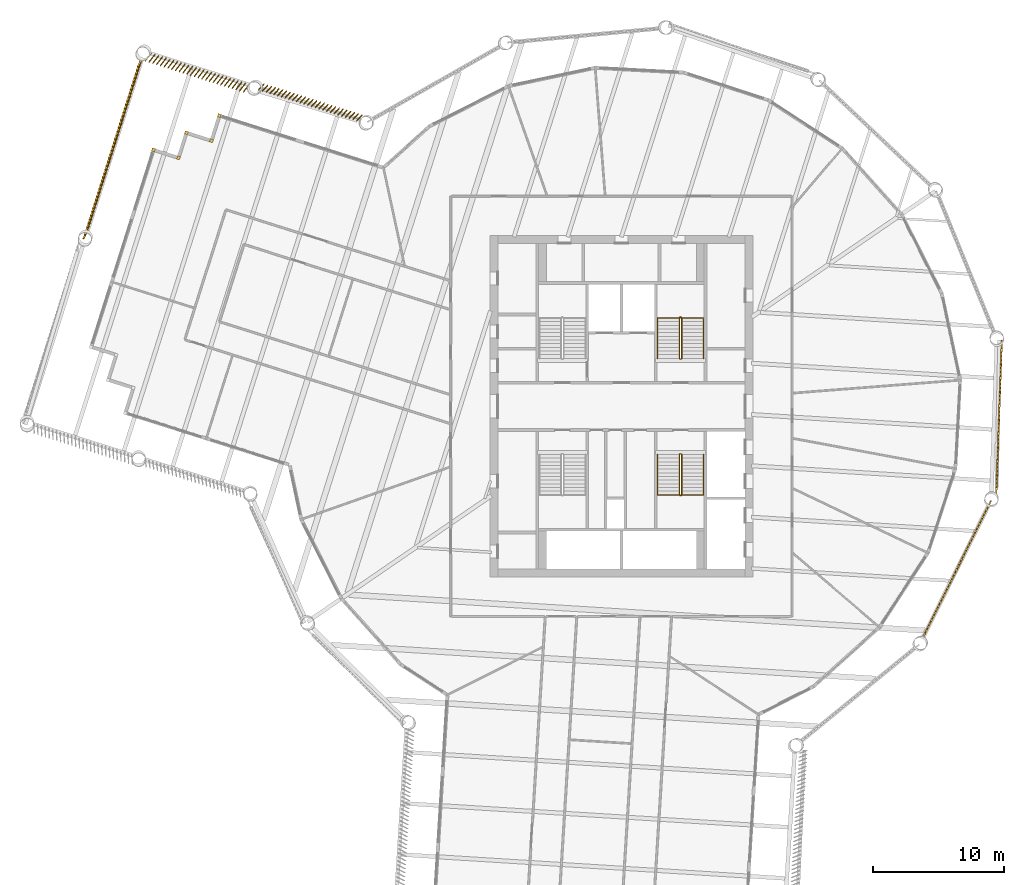
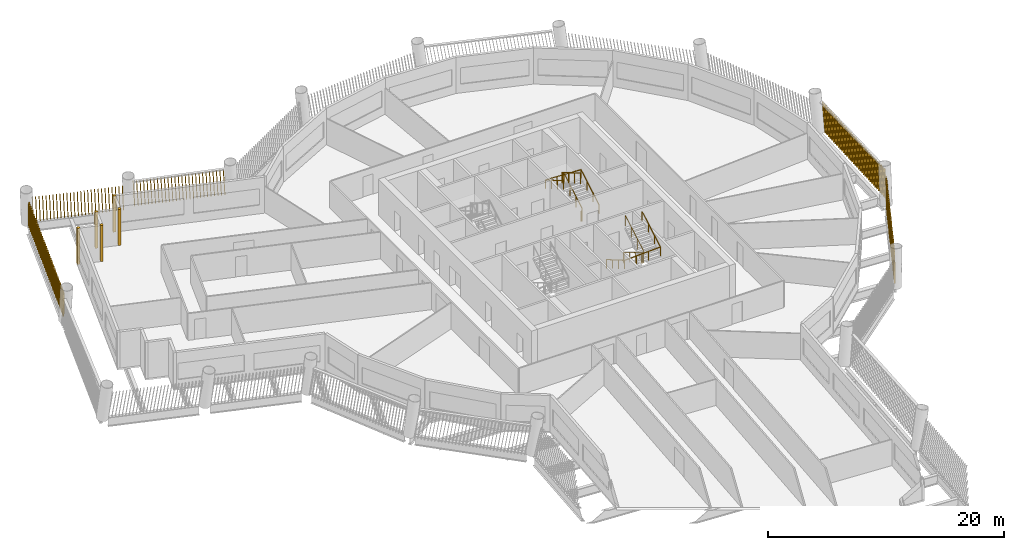
# One storey, part 13 of 15: 10 shading devices, 4 railings.
"""IFC4 building model written with IfcOpenShell, lengths in metres."""

from ifc_helpers import new_model, si_unit, direction, frame, frame_2d, origin, origin_2d, place, context, subcontext, project, spatial, rectangle, circle, composite_profile, extrude, material, type_object, element, save


model = new_model("IFC4")

# Units and contexts
model_context = context("Model", 3, precision=1e-05, world=origin(), true_north=direction((0.0, 1.0)))
body_context = subcontext(model_context, "Body", "Model", "MODEL_VIEW")
ifc_project = project(units=[si_unit("LENGTHUNIT", "METRE"), si_unit("AREAUNIT", "SQUARE_METRE"), si_unit("VOLUMEUNIT", "CUBIC_METRE"), si_unit("PLANEANGLEUNIT", "RADIAN"), si_unit("MASSUNIT", "GRAM", prefix="KILO")], contexts=[model_context])

# Site, building, storey
site_placement = place(None, origin())
site = spatial("IfcSite", under=ifc_project, at=site_placement, CompositionType="ELEMENT")
building_placement = place(site_placement, origin())
building = spatial("IfcBuilding", under=site, at=building_placement, Name="Tarsis Ring Headquarters", CompositionType="ELEMENT")
storey_placement = place(building_placement, frame((0.0, 0.0, 212.10009765625)))
storey = spatial("IfcBuildingStorey", under=building, at=storey_placement, Name="L49", CompositionType="ELEMENT", Elevation=212.10009765625)

# Railings
ifc_material_1 = material(Name="Steel S355", Category="steel")
railing_type_1 = type_object("IfcRailingType", Name="Core stair guard 1100", PredefinedType="GUARDRAIL", material=ifc_material_1)
railing_1_placement = place(storey_placement, frame((4.4599609375, 3.610107421875, 0.0)))
element("IfcRailing", 1, at=railing_1_placement, inside=storey, type_object=railing_type_1, Name="L49 ST2 stair guard 1", PredefinedType="GUARDRAIL", context=body_context, shape_type="SweptSolid", body=[
    extrude(circle(Radius=0.02392578125, at=origin_2d()), frame((0.0, 0.0, 1.076171875), z_axis=(1.0, 0.0, 0.0), x_axis=(0.0, 1.0, 0.0)), (0.0, 0.0, 1.0), 0.080078125),
    extrude(circle(Radius=0.02392578125, at=origin_2d()), frame((0.080078125, 0.0, 1.076171875), z_axis=(0.282693820306, 0.281314826061, 0.917031173188), x_axis=(-0.705375805398, 0.708833529934, 0.0)), (0.0, 0.0, 1.0), 0.177001953125),
    extrude(circle(Radius=0.02392578125, at=origin_2d()), frame((0.130126953125, 0.0498046875, 1.23828125), z_axis=(0.0, 0.864890721111, 0.501960198159), x_axis=(-1.0, 0.0, 0.0)), (0.0, 0.0, 1.0), 3.561279296875),
    extrude(circle(Radius=0.02392578125, at=origin_2d()), frame((0.130126953125, 3.1298828125, 3.02587890625), z_axis=(-0.707106781187, 0.707106781187, 0.0), x_axis=(-0.707106781187, -0.707106781187, 0.0)), (0.0, 0.0, 1.0), 0.07080078125),
    extrude(circle(Radius=0.02392578125, at=origin_2d()), frame((0.080078125, 3.179931640625, 3.02587890625), z_axis=(-1.0, 0.0, 0.0), x_axis=(0.0, -1.0, 0.0)), (0.0, 0.0, 1.0), 0.080078125),
    extrude(circle(Radius=0.02392578125, at=origin_2d()), frame((0.0, 3.179931640625, 3.02587890625), z_axis=(-0.282583949758, -0.282583949758, 0.916674763849), x_axis=(0.707106781187, -0.707106781187, 0.0)), (0.0, 0.0, 1.0), 0.177001953125),
    extrude(circle(Radius=0.02392578125, at=origin_2d()), frame((-0.050048828125, 3.1298828125, 3.1884765625), z_axis=(0.0, -0.864890721111, 0.501960198159), x_axis=(1.0, 0.0, 0.0)), (0.0, 0.0, 1.0), 3.561279296875),
    extrude(circle(Radius=0.02099609375, at=origin_2d()), origin(), (0.0, 0.0, 1.0), 1.052001953125),
    extrude(circle(Radius=0.02099609375, at=origin_2d()), frame((0.080078125, 0.0, 0.0)), (0.0, 0.0, 1.0), 1.052001953125),
    extrude(circle(Radius=0.02099609375, at=origin_2d()), frame((0.130126953125, 0.0498046875, 0.162353515625)), (0.0, 0.0, 1.0), 1.052001953125),
    extrude(circle(Radius=0.02099609375, at=origin_2d()), frame((0.130126953125, 1.076416015625, 0.75830078125)), (0.0, 0.0, 1.0), 1.052001953125),
    extrude(circle(Radius=0.02099609375, at=origin_2d()), frame((0.130126953125, 2.103271484375, 1.35400390625)), (0.0, 0.0, 1.0), 1.052001953125),
    extrude(circle(Radius=0.02099609375, at=origin_2d()), frame((0.130126953125, 3.1298828125, 1.949951171875)), (0.0, 0.0, 1.0), 1.052001953125),
    extrude(circle(Radius=0.02099609375, at=origin_2d()), frame((0.080078125, 3.179931640625, 1.949951171875)), (0.0, 0.0, 1.0), 1.052001953125),
    extrude(circle(Radius=0.02099609375, at=origin_2d()), frame((0.0, 3.179931640625, 1.949951171875)), (0.0, 0.0, 1.0), 1.052001953125),
    extrude(circle(Radius=0.02099609375, at=origin_2d()), frame((-0.050048828125, 3.1298828125, 2.1123046875)), (0.0, 0.0, 1.0), 1.052001953125),
    extrude(circle(Radius=0.02099609375, at=origin_2d()), frame((-0.050048828125, 2.103271484375, 2.708251953125)), (0.0, 0.0, 1.0), 1.052001953125),
    extrude(circle(Radius=0.02099609375, at=origin_2d()), frame((-0.050048828125, 1.076416015625, 3.303955078125)), (0.0, 0.0, 1.0), 1.052001953125),
    extrude(circle(Radius=0.02099609375, at=origin_2d()), frame((-0.050048828125, 0.0498046875, 3.89990234375)), (0.0, 0.0, 1.0), 1.052001953125),
])
railing_2_placement = place(storey_placement, frame((4.5400390625, -3.610107421875, 0.0)))
element("IfcRailing", 2, at=railing_2_placement, inside=storey, type_object=railing_type_1, Name="L49 ST4 stair guard 1", PredefinedType="GUARDRAIL", context=body_context, shape_type="SweptSolid", body=[
    extrude(circle(Radius=0.02392578125, at=origin_2d()), frame((0.0, 0.0, 1.076171875), z_axis=(-1.0, 0.0, 0.0), x_axis=(0.0, -1.0, 0.0)), (0.0, 0.0, 1.0), 0.080078125),
    extrude(circle(Radius=0.02392578125, at=origin_2d()), frame((-0.080078125, 0.0, 1.076171875), z_axis=(-0.282693820306, -0.281314826061, 0.917031173188), x_axis=(0.705375805398, -0.708833529934, 0.0)), (0.0, 0.0, 1.0), 0.177001953125),
    extrude(circle(Radius=0.02392578125, at=origin_2d()), frame((-0.130126953125, -0.0498046875, 1.23828125), z_axis=(0.0, -0.864890721111, 0.501960198159), x_axis=(1.0, 0.0, 0.0)), (0.0, 0.0, 1.0), 3.561279296875),
    extrude(circle(Radius=0.02392578125, at=origin_2d()), frame((-0.130126953125, -3.1298828125, 3.02587890625), z_axis=(0.707106781187, -0.707106781187, 0.0), x_axis=(0.707106781187, 0.707106781187, 0.0)), (0.0, 0.0, 1.0), 0.07080078125),
    extrude(circle(Radius=0.02392578125, at=origin_2d()), frame((-0.080078125, -3.179931640625, 3.02587890625), z_axis=(1.0, 0.0, 0.0), x_axis=(0.0, 1.0, 0.0)), (0.0, 0.0, 1.0), 0.080078125),
    extrude(circle(Radius=0.02392578125, at=origin_2d()), frame((0.0, -3.179931640625, 3.02587890625), z_axis=(0.282583949758, 0.282583949758, 0.916674763849), x_axis=(-0.707106781187, 0.707106781187, 0.0)), (0.0, 0.0, 1.0), 0.177001953125),
    extrude(circle(Radius=0.02392578125, at=origin_2d()), frame((0.050048828125, -3.1298828125, 3.1884765625), z_axis=(0.0, 0.864890721111, 0.501960198159), x_axis=(-1.0, 0.0, 0.0)), (0.0, 0.0, 1.0), 3.561279296875),
    extrude(circle(Radius=0.02099609375, at=origin_2d()), origin(), (0.0, 0.0, 1.0), 1.052001953125),
    extrude(circle(Radius=0.02099609375, at=origin_2d()), frame((-0.080078125, 0.0, 0.0)), (0.0, 0.0, 1.0), 1.052001953125),
    extrude(circle(Radius=0.02099609375, at=origin_2d()), frame((-0.130126953125, -0.0498046875, 0.162353515625)), (0.0, 0.0, 1.0), 1.052001953125),
    extrude(circle(Radius=0.02099609375, at=origin_2d()), frame((-0.130126953125, -1.076416015625, 0.75830078125)), (0.0, 0.0, 1.0), 1.052001953125),
    extrude(circle(Radius=0.02099609375, at=origin_2d()), frame((-0.130126953125, -2.103271484375, 1.35400390625)), (0.0, 0.0, 1.0), 1.052001953125),
    extrude(circle(Radius=0.02099609375, at=origin_2d()), frame((-0.130126953125, -3.1298828125, 1.949951171875)), (0.0, 0.0, 1.0), 1.052001953125),
    extrude(circle(Radius=0.02099609375, at=origin_2d()), frame((-0.080078125, -3.179931640625, 1.949951171875)), (0.0, 0.0, 1.0), 1.052001953125),
    extrude(circle(Radius=0.02099609375, at=origin_2d()), frame((0.0, -3.179931640625, 1.949951171875)), (0.0, 0.0, 1.0), 1.052001953125),
    extrude(circle(Radius=0.02099609375, at=origin_2d()), frame((0.050048828125, -3.1298828125, 2.1123046875)), (0.0, 0.0, 1.0), 1.052001953125),
    extrude(circle(Radius=0.02099609375, at=origin_2d()), frame((0.050048828125, -2.103271484375, 2.708251953125)), (0.0, 0.0, 1.0), 1.052001953125),
    extrude(circle(Radius=0.02099609375, at=origin_2d()), frame((0.050048828125, -1.076416015625, 3.303955078125)), (0.0, 0.0, 1.0), 1.052001953125),
    extrude(circle(Radius=0.02099609375, at=origin_2d()), frame((0.050048828125, -0.0498046875, 3.89990234375)), (0.0, 0.0, 1.0), 1.052001953125),
])
railing_type_2 = type_object("IfcRailingType", Name="Core stair handrail 900", PredefinedType="HANDRAIL", material=ifc_material_1)
railing_3_placement = place(storey_placement, frame((6.25, 3.659912109375, 0.162353515625)))
element("IfcRailing", 3, at=railing_3_placement, inside=storey, type_object=railing_type_2, Name="L49 ST2 stair handrail 1", PredefinedType="HANDRAIL", context=body_context, shape_type="SweptSolid", body=[
    extrude(circle(Radius=0.02392578125, at=origin_2d()), frame((0.0, 0.0, 0.8759765625), z_axis=(0.0, 0.864890721111, 0.501960198159), x_axis=(-1.0, 0.0, 0.0)), (0.0, 0.0, 1.0), 3.561279296875),
    extrude(circle(Radius=0.02392578125, at=origin_2d()), frame((0.0, 3.080078125, 2.66357421875), z_axis=(-0.998925869279, 0.0, 0.04633689335), x_axis=(0.0, -1.0, 0.0)), (0.0, 0.0, 1.0), 3.503662109375),
    extrude(circle(Radius=0.02392578125, at=origin_2d()), frame((-3.5, 3.080078125, 2.82568359375), z_axis=(0.0, -0.864890721111, 0.501960198159), x_axis=(1.0, 0.0, 0.0)), (0.0, 0.0, 1.0), 3.561279296875),
    extrude(circle(Radius=0.02099609375, at=origin_2d()), origin(), (0.0, 0.0, 1.0), 0.851806640625),
    extrude(circle(Radius=0.02099609375, at=origin_2d()), frame((0.0, 1.026611328125, 0.595947265625)), (0.0, 0.0, 1.0), 0.851806640625),
    extrude(circle(Radius=0.02099609375, at=origin_2d()), frame((0.0, 2.053466796875, 1.191650390625)), (0.0, 0.0, 1.0), 0.851806640625),
    extrude(circle(Radius=0.02099609375, at=origin_2d()), frame((0.0, 3.080078125, 1.78759765625)), (0.0, 0.0, 1.0), 0.851806640625),
    extrude(circle(Radius=0.02099609375, at=origin_2d()), frame((-1.166748046875, 3.080078125, 1.841796875)), (0.0, 0.0, 1.0), 0.851806640625),
    extrude(circle(Radius=0.02099609375, at=origin_2d()), frame((-2.333251953125, 3.080078125, 1.895751953125)), (0.0, 0.0, 1.0), 0.851806640625),
    extrude(circle(Radius=0.02099609375, at=origin_2d()), frame((-3.5, 3.080078125, 1.949951171875)), (0.0, 0.0, 1.0), 0.851806640625),
    extrude(circle(Radius=0.02099609375, at=origin_2d()), frame((-3.5, 2.053466796875, 2.5458984375)), (0.0, 0.0, 1.0), 0.851806640625),
    extrude(circle(Radius=0.02099609375, at=origin_2d()), frame((-3.5, 1.026611328125, 3.1416015625)), (0.0, 0.0, 1.0), 0.851806640625),
    extrude(circle(Radius=0.02099609375, at=origin_2d()), frame((-3.5, 0.0, 3.737548828125)), (0.0, 0.0, 1.0), 0.851806640625),
])
railing_4_placement = place(storey_placement, frame((2.75, -3.659912109375, 0.162353515625)))
element("IfcRailing", 4, at=railing_4_placement, inside=storey, type_object=railing_type_2, Name="L49 ST4 stair handrail 1", PredefinedType="HANDRAIL", context=body_context, shape_type="SweptSolid", body=[
    extrude(circle(Radius=0.02392578125, at=origin_2d()), frame((0.0, 0.0, 0.8759765625), z_axis=(0.0, -0.864890721111, 0.501960198159), x_axis=(1.0, 0.0, 0.0)), (0.0, 0.0, 1.0), 3.561279296875),
    extrude(circle(Radius=0.02392578125, at=origin_2d()), frame((0.0, -3.080078125, 2.66357421875), z_axis=(0.998925869279, 0.0, 0.04633689335), x_axis=(0.0, 1.0, 0.0)), (0.0, 0.0, 1.0), 3.503662109375),
    extrude(circle(Radius=0.02392578125, at=origin_2d()), frame((3.5, -3.080078125, 2.82568359375), z_axis=(0.0, 0.864890721111, 0.501960198159), x_axis=(-1.0, 0.0, 0.0)), (0.0, 0.0, 1.0), 3.561279296875),
    extrude(circle(Radius=0.02099609375, at=origin_2d()), origin(), (0.0, 0.0, 1.0), 0.851806640625),
    extrude(circle(Radius=0.02099609375, at=origin_2d()), frame((0.0, -1.026611328125, 0.595947265625)), (0.0, 0.0, 1.0), 0.851806640625),
    extrude(circle(Radius=0.02099609375, at=origin_2d()), frame((0.0, -2.053466796875, 1.191650390625)), (0.0, 0.0, 1.0), 0.851806640625),
    extrude(circle(Radius=0.02099609375, at=origin_2d()), frame((0.0, -3.080078125, 1.78759765625)), (0.0, 0.0, 1.0), 0.851806640625),
    extrude(circle(Radius=0.02099609375, at=origin_2d()), frame((1.166748046875, -3.080078125, 1.841796875)), (0.0, 0.0, 1.0), 0.851806640625),
    extrude(circle(Radius=0.02099609375, at=origin_2d()), frame((2.333251953125, -3.080078125, 1.895751953125)), (0.0, 0.0, 1.0), 0.851806640625),
    extrude(circle(Radius=0.02099609375, at=origin_2d()), frame((3.5, -3.080078125, 1.949951171875)), (0.0, 0.0, 1.0), 0.851806640625),
    extrude(circle(Radius=0.02099609375, at=origin_2d()), frame((3.5, -2.053466796875, 2.5458984375)), (0.0, 0.0, 1.0), 0.851806640625),
    extrude(circle(Radius=0.02099609375, at=origin_2d()), frame((3.5, -1.026611328125, 3.1416015625)), (0.0, 0.0, 1.0), 0.851806640625),
    extrude(circle(Radius=0.02099609375, at=origin_2d()), frame((3.5, 0.0, 3.737548828125)), (0.0, 0.0, 1.0), 0.851806640625),
])

# Shading devices
ifc_material_2 = material(Name="Terracotta baguette", Category="masonry")
shading_device_type_1 = type_object("IfcShadingDeviceType", Name="Terracotta baguette screen", PredefinedType="USERDEFINED", material=ifc_material_2)
shading_device_1_placement = place(storey_placement, frame((22.928466796875, -17.669921875, 0.0), z_axis=(0.0, 0.0, 1.0), x_axis=(0.444883342377, 0.895583288117, 0.0)))
element("IfcShadingDevice", 5, at=shading_device_1_placement, inside=storey, type_object=shading_device_type_1, Name="Baguette screen L49-08", ObjectType="Terracotta baguette screen", PredefinedType="USERDEFINED", context=body_context, shape_type="SweptSolid", body=[
    extrude(composite_profile([rectangle(XDim=0.06005859375, YDim=0.1201171875, at=frame_2d((0.030029296875, 0.0))), rectangle(XDim=0.06005859375, YDim=0.1201171875, at=frame_2d((0.33251953125, 0.0))), rectangle(XDim=0.06005859375, YDim=0.1201171875, at=frame_2d((0.634765625, 0.0))), rectangle(XDim=0.06005859375, YDim=0.1201171875, at=frame_2d((0.937255859375, 0.0))), rectangle(XDim=0.06005859375, YDim=0.1201171875, at=frame_2d((1.239501953125, 0.0))), rectangle(XDim=0.06005859375, YDim=0.1201171875, at=frame_2d((1.5419921875, 0.0))), rectangle(XDim=0.06005859375, YDim=0.1201171875, at=frame_2d((1.844482421875, 0.0))), rectangle(XDim=0.06005859375, YDim=0.1201171875, at=frame_2d((2.146728515625, 0.0))), rectangle(XDim=0.06005859375, YDim=0.1201171875, at=frame_2d((2.44921875, 0.0))), rectangle(XDim=0.06005859375, YDim=0.1201171875, at=frame_2d((2.751708984375, 0.0))), rectangle(XDim=0.06005859375, YDim=0.1201171875, at=frame_2d((3.053955078125, 0.0))), rectangle(XDim=0.06005859375, YDim=0.1201171875, at=frame_2d((3.3564453125, 0.0))), rectangle(XDim=0.06005859375, YDim=0.1201171875, at=frame_2d((3.65869140625, 0.0))), rectangle(XDim=0.06005859375, YDim=0.1201171875, at=frame_2d((3.961181640625, 0.0))), rectangle(XDim=0.06005859375, YDim=0.1201171875, at=frame_2d((4.263671875, 0.0))), rectangle(XDim=0.06005859375, YDim=0.1201171875, at=frame_2d((4.56591796875, 0.0))), rectangle(XDim=0.06005859375, YDim=0.1201171875, at=frame_2d((4.868408203125, 0.0))), rectangle(XDim=0.06005859375, YDim=0.1201171875, at=frame_2d((5.1708984375, 0.0))), rectangle(XDim=0.06005859375, YDim=0.1201171875, at=frame_2d((5.47314453125, 0.0))), rectangle(XDim=0.06005859375, YDim=0.1201171875, at=frame_2d((5.775634765625, 0.0))), rectangle(XDim=0.06005859375, YDim=0.1201171875, at=frame_2d((6.077880859375, 0.0))), rectangle(XDim=0.06005859375, YDim=0.1201171875, at=frame_2d((6.38037109375, 0.0))), rectangle(XDim=0.06005859375, YDim=0.1201171875, at=frame_2d((6.682861328125, 0.0))), rectangle(XDim=0.06005859375, YDim=0.1201171875, at=frame_2d((6.985107421875, 0.0))), rectangle(XDim=0.06005859375, YDim=0.1201171875, at=frame_2d((7.28759765625, 0.0))), rectangle(XDim=0.06005859375, YDim=0.1201171875, at=frame_2d((7.590087890625, 0.0))), rectangle(XDim=0.06005859375, YDim=0.1201171875, at=frame_2d((7.892333984375, 0.0))), rectangle(XDim=0.06005859375, YDim=0.1201171875, at=frame_2d((8.19482421875, 0.0))), rectangle(XDim=0.06005859375, YDim=0.1201171875, at=frame_2d((8.4970703125, 0.0))), rectangle(XDim=0.06005859375, YDim=0.1201171875, at=frame_2d((8.799560546875, 0.0))), rectangle(XDim=0.06005859375, YDim=0.1201171875, at=frame_2d((9.10205078125, 0.0))), rectangle(XDim=0.06005859375, YDim=0.1201171875, at=frame_2d((9.404296875, 0.0))), rectangle(XDim=0.06005859375, YDim=0.1201171875, at=frame_2d((9.706787109375, 0.0))), rectangle(XDim=0.06005859375, YDim=0.1201171875, at=frame_2d((10.00927734375, 0.0))), rectangle(XDim=0.06005859375, YDim=0.1201171875, at=frame_2d((10.3115234375, 0.0))), rectangle(XDim=0.06005859375, YDim=0.1201171875, at=frame_2d((10.614013671875, 0.0))), rectangle(XDim=0.06005859375, YDim=0.1201171875, at=frame_2d((10.916259765625, 0.0))), rectangle(XDim=0.06005859375, YDim=0.1201171875, at=frame_2d((11.21875, 0.0)))]), origin(), (0.159215787008, 0.001333037125, 0.987242906371), 2.988037109375),
])
shading_device_2_placement = place(storey_placement, frame((28.548095703125, -6.661865234375, 0.0), z_axis=(0.0, 0.0, 1.0), x_axis=(0.036201844818, 0.999348887683, 0.0)))
element("IfcShadingDevice", 6, at=shading_device_2_placement, inside=storey, type_object=shading_device_type_1, Name="Baguette screen L49-09", ObjectType="Terracotta baguette screen", PredefinedType="USERDEFINED", context=body_context, shape_type="SweptSolid", body=[
    extrude(composite_profile([rectangle(XDim=0.06005859375, YDim=0.1201171875, at=frame_2d((0.030029296875, 0.0))), rectangle(XDim=0.06005859375, YDim=0.1201171875, at=frame_2d((0.33251953125, 0.0))), rectangle(XDim=0.06005859375, YDim=0.1201171875, at=frame_2d((0.634765625, 0.0))), rectangle(XDim=0.06005859375, YDim=0.1201171875, at=frame_2d((0.937255859375, 0.0))), rectangle(XDim=0.06005859375, YDim=0.1201171875, at=frame_2d((1.239501953125, 0.0))), rectangle(XDim=0.06005859375, YDim=0.1201171875, at=frame_2d((1.5419921875, 0.0))), rectangle(XDim=0.06005859375, YDim=0.1201171875, at=frame_2d((1.844482421875, 0.0))), rectangle(XDim=0.06005859375, YDim=0.1201171875, at=frame_2d((2.146728515625, 0.0))), rectangle(XDim=0.06005859375, YDim=0.1201171875, at=frame_2d((2.44921875, 0.0))), rectangle(XDim=0.06005859375, YDim=0.1201171875, at=frame_2d((2.751708984375, 0.0))), rectangle(XDim=0.06005859375, YDim=0.1201171875, at=frame_2d((3.053955078125, 0.0))), rectangle(XDim=0.06005859375, YDim=0.1201171875, at=frame_2d((3.3564453125, 0.0))), rectangle(XDim=0.06005859375, YDim=0.1201171875, at=frame_2d((3.65869140625, 0.0))), rectangle(XDim=0.06005859375, YDim=0.1201171875, at=frame_2d((3.961181640625, 0.0))), rectangle(XDim=0.06005859375, YDim=0.1201171875, at=frame_2d((4.263671875, 0.0))), rectangle(XDim=0.06005859375, YDim=0.1201171875, at=frame_2d((4.56591796875, 0.0))), rectangle(XDim=0.06005859375, YDim=0.1201171875, at=frame_2d((4.868408203125, 0.0))), rectangle(XDim=0.06005859375, YDim=0.1201171875, at=frame_2d((5.1708984375, 0.0))), rectangle(XDim=0.06005859375, YDim=0.1201171875, at=frame_2d((5.47314453125, 0.0))), rectangle(XDim=0.06005859375, YDim=0.1201171875, at=frame_2d((5.775634765625, 0.0))), rectangle(XDim=0.06005859375, YDim=0.1201171875, at=frame_2d((6.077880859375, 0.0))), rectangle(XDim=0.06005859375, YDim=0.1201171875, at=frame_2d((6.38037109375, 0.0))), rectangle(XDim=0.06005859375, YDim=0.1201171875, at=frame_2d((6.682861328125, 0.0))), rectangle(XDim=0.06005859375, YDim=0.1201171875, at=frame_2d((6.985107421875, 0.0))), rectangle(XDim=0.06005859375, YDim=0.1201171875, at=frame_2d((7.28759765625, 0.0))), rectangle(XDim=0.06005859375, YDim=0.1201171875, at=frame_2d((7.590087890625, 0.0))), rectangle(XDim=0.06005859375, YDim=0.1201171875, at=frame_2d((7.892333984375, 0.0))), rectangle(XDim=0.06005859375, YDim=0.1201171875, at=frame_2d((8.19482421875, 0.0))), rectangle(XDim=0.06005859375, YDim=0.1201171875, at=frame_2d((8.4970703125, 0.0))), rectangle(XDim=0.06005859375, YDim=0.1201171875, at=frame_2d((8.799560546875, 0.0))), rectangle(XDim=0.06005859375, YDim=0.1201171875, at=frame_2d((9.10205078125, 0.0))), rectangle(XDim=0.06005859375, YDim=0.1201171875, at=frame_2d((9.404296875, 0.0))), rectangle(XDim=0.06005859375, YDim=0.1201171875, at=frame_2d((9.706787109375, 0.0))), rectangle(XDim=0.06005859375, YDim=0.1201171875, at=frame_2d((10.00927734375, 0.0))), rectangle(XDim=0.06005859375, YDim=0.1201171875, at=frame_2d((10.3115234375, 0.0))), rectangle(XDim=0.06005859375, YDim=0.1201171875, at=frame_2d((10.614013671875, 0.0))), rectangle(XDim=0.06005859375, YDim=0.1201171875, at=frame_2d((10.916259765625, 0.0))), rectangle(XDim=0.06005859375, YDim=0.1201171875, at=frame_2d((11.21875, 0.0)))]), origin(), (0.161265331768, 0.00135361452, 0.986910158271), 2.989013671875),
])
shading_device_3_placement = place(storey_placement, frame((-19.72900390625, 22.159912109375, 0.0), z_axis=(0.0, 0.0, 1.0), x_axis=(-0.953410776075, 0.301717745922, 0.0)))
element("IfcShadingDevice", 7, at=shading_device_3_placement, inside=storey, type_object=shading_device_type_1, Name="Baguette screen L49-15", ObjectType="Terracotta baguette screen", PredefinedType="USERDEFINED", context=body_context, shape_type="SweptSolid", body=[
    extrude(composite_profile([rectangle(XDim=0.06005859375, YDim=0.1201171875, at=frame_2d((0.030029296875, 0.0))), rectangle(XDim=0.06005859375, YDim=0.1201171875, at=frame_2d((0.33154296875, 0.0))), rectangle(XDim=0.06005859375, YDim=0.1201171875, at=frame_2d((0.63330078125, 0.0))), rectangle(XDim=0.06005859375, YDim=0.1201171875, at=frame_2d((0.934814453125, 0.0))), rectangle(XDim=0.06005859375, YDim=0.1201171875, at=frame_2d((1.236572265625, 0.0))), rectangle(XDim=0.06005859375, YDim=0.1201171875, at=frame_2d((1.5380859375, 0.0))), rectangle(XDim=0.06005859375, YDim=0.1201171875, at=frame_2d((1.83984375, 0.0))), rectangle(XDim=0.06005859375, YDim=0.1201171875, at=frame_2d((2.141357421875, 0.0))), rectangle(XDim=0.06005859375, YDim=0.1201171875, at=frame_2d((2.443115234375, 0.0))), rectangle(XDim=0.06005859375, YDim=0.1201171875, at=frame_2d((2.74462890625, 0.0))), rectangle(XDim=0.06005859375, YDim=0.1201171875, at=frame_2d((3.04638671875, 0.0))), rectangle(XDim=0.06005859375, YDim=0.1201171875, at=frame_2d((3.347900390625, 0.0))), rectangle(XDim=0.06005859375, YDim=0.1201171875, at=frame_2d((3.649658203125, 0.0))), rectangle(XDim=0.06005859375, YDim=0.1201171875, at=frame_2d((3.951171875, 0.0))), rectangle(XDim=0.06005859375, YDim=0.1201171875, at=frame_2d((4.252685546875, 0.0))), rectangle(XDim=0.06005859375, YDim=0.1201171875, at=frame_2d((4.554443359375, 0.0))), rectangle(XDim=0.06005859375, YDim=0.1201171875, at=frame_2d((4.85595703125, 0.0))), rectangle(XDim=0.06005859375, YDim=0.1201171875, at=frame_2d((5.15771484375, 0.0))), rectangle(XDim=0.06005859375, YDim=0.1201171875, at=frame_2d((5.459228515625, 0.0))), rectangle(XDim=0.06005859375, YDim=0.1201171875, at=frame_2d((5.760986328125, 0.0))), rectangle(XDim=0.06005859375, YDim=0.1201171875, at=frame_2d((6.0625, 0.0))), rectangle(XDim=0.06005859375, YDim=0.1201171875, at=frame_2d((6.3642578125, 0.0))), rectangle(XDim=0.06005859375, YDim=0.1201171875, at=frame_2d((6.665771484375, 0.0))), rectangle(XDim=0.06005859375, YDim=0.1201171875, at=frame_2d((6.967529296875, 0.0))), rectangle(XDim=0.06005859375, YDim=0.1201171875, at=frame_2d((7.26904296875, 0.0))), rectangle(XDim=0.06005859375, YDim=0.1201171875, at=frame_2d((7.57080078125, 0.0))), rectangle(XDim=0.06005859375, YDim=0.1201171875, at=frame_2d((7.872314453125, 0.0)))]), origin(), (0.083323334133, 0.165071878303, 0.982755563191), 3.001708984375),
])
shading_device_4_placement = place(storey_placement, frame((-28.32958984375, 24.48828125, 0.0), z_axis=(0.0, 0.0, 1.0), x_axis=(-0.953410776075, 0.301717745922, 0.0)))
element("IfcShadingDevice", 8, at=shading_device_4_placement, inside=storey, type_object=shading_device_type_1, Name="Baguette screen L49-16", ObjectType="Terracotta baguette screen", PredefinedType="USERDEFINED", context=body_context, shape_type="SweptSolid", body=[
    extrude(composite_profile([rectangle(XDim=0.06005859375, YDim=0.1201171875, at=frame_2d((0.030029296875, 0.0))), rectangle(XDim=0.06005859375, YDim=0.1201171875, at=frame_2d((0.33154296875, 0.0))), rectangle(XDim=0.06005859375, YDim=0.1201171875, at=frame_2d((0.63330078125, 0.0))), rectangle(XDim=0.06005859375, YDim=0.1201171875, at=frame_2d((0.934814453125, 0.0))), rectangle(XDim=0.06005859375, YDim=0.1201171875, at=frame_2d((1.236572265625, 0.0))), rectangle(XDim=0.06005859375, YDim=0.1201171875, at=frame_2d((1.5380859375, 0.0))), rectangle(XDim=0.06005859375, YDim=0.1201171875, at=frame_2d((1.83984375, 0.0))), rectangle(XDim=0.06005859375, YDim=0.1201171875, at=frame_2d((2.141357421875, 0.0))), rectangle(XDim=0.06005859375, YDim=0.1201171875, at=frame_2d((2.443115234375, 0.0))), rectangle(XDim=0.06005859375, YDim=0.1201171875, at=frame_2d((2.74462890625, 0.0))), rectangle(XDim=0.06005859375, YDim=0.1201171875, at=frame_2d((3.04638671875, 0.0))), rectangle(XDim=0.06005859375, YDim=0.1201171875, at=frame_2d((3.347900390625, 0.0))), rectangle(XDim=0.06005859375, YDim=0.1201171875, at=frame_2d((3.649658203125, 0.0))), rectangle(XDim=0.06005859375, YDim=0.1201171875, at=frame_2d((3.951171875, 0.0))), rectangle(XDim=0.06005859375, YDim=0.1201171875, at=frame_2d((4.252685546875, 0.0))), rectangle(XDim=0.06005859375, YDim=0.1201171875, at=frame_2d((4.554443359375, 0.0))), rectangle(XDim=0.06005859375, YDim=0.1201171875, at=frame_2d((4.85595703125, 0.0))), rectangle(XDim=0.06005859375, YDim=0.1201171875, at=frame_2d((5.15771484375, 0.0))), rectangle(XDim=0.06005859375, YDim=0.1201171875, at=frame_2d((5.459228515625, 0.0))), rectangle(XDim=0.06005859375, YDim=0.1201171875, at=frame_2d((5.760986328125, 0.0))), rectangle(XDim=0.06005859375, YDim=0.1201171875, at=frame_2d((6.0625, 0.0))), rectangle(XDim=0.06005859375, YDim=0.1201171875, at=frame_2d((6.3642578125, 0.0))), rectangle(XDim=0.06005859375, YDim=0.1201171875, at=frame_2d((6.665771484375, 0.0))), rectangle(XDim=0.06005859375, YDim=0.1201171875, at=frame_2d((6.967529296875, 0.0))), rectangle(XDim=0.06005859375, YDim=0.1201171875, at=frame_2d((7.26904296875, 0.0))), rectangle(XDim=0.06005859375, YDim=0.1201171875, at=frame_2d((7.57080078125, 0.0))), rectangle(XDim=0.06005859375, YDim=0.1201171875, at=frame_2d((7.872314453125, 0.0)))]), origin(), (0.080077777668, 0.212789357504, 0.973811192612), 3.029296875),
])
shading_device_5_placement = place(storey_placement, frame((-36.4912109375, 26.546630859375, 0.0), z_axis=(0.0, 0.0, 1.0), x_axis=(-0.301707209199, -0.953401149934, 0.0)))
element("IfcShadingDevice", 9, at=shading_device_5_placement, inside=storey, type_object=shading_device_type_1, Name="Baguette screen L49-17", ObjectType="Terracotta baguette screen", PredefinedType="USERDEFINED", context=body_context, shape_type="SweptSolid", body=[
    extrude(composite_profile([rectangle(XDim=0.06005859375, YDim=0.1201171875, at=frame_2d((0.030029296875, 0.0))), rectangle(XDim=0.06005859375, YDim=0.1201171875, at=frame_2d((0.33544921875, 0.0))), rectangle(XDim=0.06005859375, YDim=0.1201171875, at=frame_2d((0.640625, 0.0))), rectangle(XDim=0.06005859375, YDim=0.1201171875, at=frame_2d((0.946044921875, 0.0))), rectangle(XDim=0.06005859375, YDim=0.1201171875, at=frame_2d((1.25146484375, 0.0))), rectangle(XDim=0.06005859375, YDim=0.1201171875, at=frame_2d((1.556640625, 0.0))), rectangle(XDim=0.06005859375, YDim=0.1201171875, at=frame_2d((1.862060546875, 0.0))), rectangle(XDim=0.06005859375, YDim=0.1201171875, at=frame_2d((2.16748046875, 0.0))), rectangle(XDim=0.06005859375, YDim=0.1201171875, at=frame_2d((2.47265625, 0.0))), rectangle(XDim=0.06005859375, YDim=0.1201171875, at=frame_2d((2.778076171875, 0.0))), rectangle(XDim=0.06005859375, YDim=0.1201171875, at=frame_2d((3.08349609375, 0.0))), rectangle(XDim=0.06005859375, YDim=0.1201171875, at=frame_2d((3.388671875, 0.0))), rectangle(XDim=0.06005859375, YDim=0.1201171875, at=frame_2d((3.694091796875, 0.0))), rectangle(XDim=0.06005859375, YDim=0.1201171875, at=frame_2d((3.99951171875, 0.0))), rectangle(XDim=0.06005859375, YDim=0.1201171875, at=frame_2d((4.3046875, 0.0))), rectangle(XDim=0.06005859375, YDim=0.1201171875, at=frame_2d((4.610107421875, 0.0))), rectangle(XDim=0.06005859375, YDim=0.1201171875, at=frame_2d((4.91552734375, 0.0))), rectangle(XDim=0.06005859375, YDim=0.1201171875, at=frame_2d((5.220703125, 0.0))), rectangle(XDim=0.06005859375, YDim=0.1201171875, at=frame_2d((5.526123046875, 0.0))), rectangle(XDim=0.06005859375, YDim=0.1201171875, at=frame_2d((5.83154296875, 0.0))), rectangle(XDim=0.06005859375, YDim=0.1201171875, at=frame_2d((6.13671875, 0.0))), rectangle(XDim=0.06005859375, YDim=0.1201171875, at=frame_2d((6.442138671875, 0.0))), rectangle(XDim=0.06005859375, YDim=0.1201171875, at=frame_2d((6.74755859375, 0.0))), rectangle(XDim=0.06005859375, YDim=0.1201171875, at=frame_2d((7.052734375, 0.0))), rectangle(XDim=0.06005859375, YDim=0.1201171875, at=frame_2d((7.358154296875, 0.0))), rectangle(XDim=0.06005859375, YDim=0.1201171875, at=frame_2d((7.66357421875, 0.0))), rectangle(XDim=0.06005859375, YDim=0.1201171875, at=frame_2d((7.96875, 0.0))), rectangle(XDim=0.06005859375, YDim=0.1201171875, at=frame_2d((8.274169921875, 0.0))), rectangle(XDim=0.06005859375, YDim=0.1201171875, at=frame_2d((8.57958984375, 0.0))), rectangle(XDim=0.06005859375, YDim=0.1201171875, at=frame_2d((8.884765625, 0.0))), rectangle(XDim=0.06005859375, YDim=0.1201171875, at=frame_2d((9.190185546875, 0.0))), rectangle(XDim=0.06005859375, YDim=0.1201171875, at=frame_2d((9.49560546875, 0.0))), rectangle(XDim=0.06005859375, YDim=0.1201171875, at=frame_2d((9.80078125, 0.0))), rectangle(XDim=0.06005859375, YDim=0.1201171875, at=frame_2d((10.106201171875, 0.0))), rectangle(XDim=0.06005859375, YDim=0.1201171875, at=frame_2d((10.41162109375, 0.0))), rectangle(XDim=0.06005859375, YDim=0.1201171875, at=frame_2d((10.716796875, 0.0))), rectangle(XDim=0.06005859375, YDim=0.1201171875, at=frame_2d((11.022216796875, 0.0))), rectangle(XDim=0.06005859375, YDim=0.1201171875, at=frame_2d((11.32763671875, 0.0))), rectangle(XDim=0.06005859375, YDim=0.1201171875, at=frame_2d((11.6328125, 0.0))), rectangle(XDim=0.06005859375, YDim=0.1201171875, at=frame_2d((11.938232421875, 0.0))), rectangle(XDim=0.06005859375, YDim=0.1201171875, at=frame_2d((12.24365234375, 0.0))), rectangle(XDim=0.06005859375, YDim=0.1201171875, at=frame_2d((12.548828125, 0.0))), rectangle(XDim=0.06005859375, YDim=0.1201171875, at=frame_2d((12.854248046875, 0.0))), rectangle(XDim=0.06005859375, YDim=0.1201171875, at=frame_2d((13.15966796875, 0.0))), rectangle(XDim=0.06005859375, YDim=0.1201171875, at=frame_2d((13.46484375, 0.0))), rectangle(XDim=0.06005859375, YDim=0.1201171875, at=frame_2d((13.770263671875, 0.0)))]), origin(), (0.23635079637, -0.03882732825, 0.970891723951), 3.038330078125),
])
shading_device_type_2 = type_object("IfcShadingDeviceType", Name="Terracotta corner baguette 250x250", PredefinedType="USERDEFINED", material=ifc_material_2)
for number, where, z_axis, x_axis, name in (
    (10, (-30.62060546875, 22.145263671875, 0.0), (0.0, 0.0, 1.0), (-0.953401524229, 0.301704381137, 0.0), "Corner baguette L49-32"),
    (11, (-31.223876953125, 20.238525390625, 0.0), (0.0, 0.0, 1.0), (-0.301704347857, -0.953401534761, 0.0), "Corner baguette L49-33"),
    (12, (-33.130859375, 20.841796875, 0.0), (0.0, 0.0, 1.0), (-0.953401487369, 0.301704497617, 0.0), "Corner baguette L49-34"),
    (13, (-33.734130859375, 18.93505859375, 0.0), (0.0, 0.0, 1.0), (-0.301704048337, -0.953401629544, 0.0), "Corner baguette L49-35"),
    (14, (-35.640869140625, 19.53857421875, 0.0), (0.0, 0.0, 1.0), (-0.953401487369, 0.301704497617, 0.0), "Corner baguette L49-36"),
):
    element("IfcShadingDevice", number, at=place(storey_placement, frame(where, z_axis=z_axis, x_axis=x_axis)), inside=storey, type_object=shading_device_type_2, Name=name, ObjectType="Terracotta corner baguette", PredefinedType="USERDEFINED", context=body_context, shape_type="SweptSolid", body=[
        extrude(rectangle(XDim=0.25, YDim=0.25, at=origin_2d()), origin(), (0.0, 0.0, 1.0), 3.739990234375),
    ])

save(model, "model.ifc")
